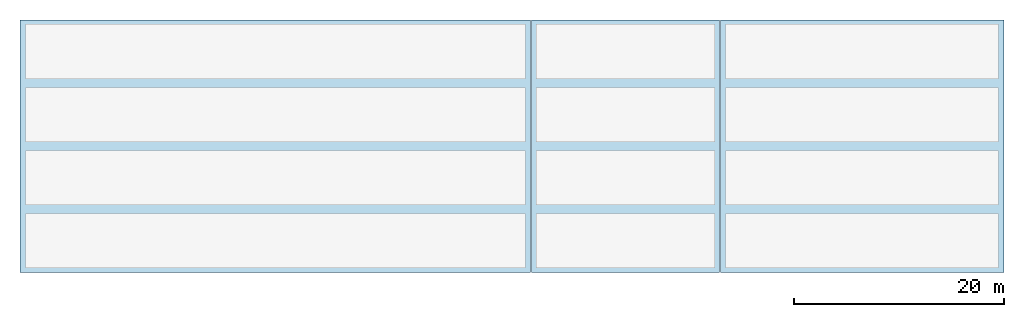
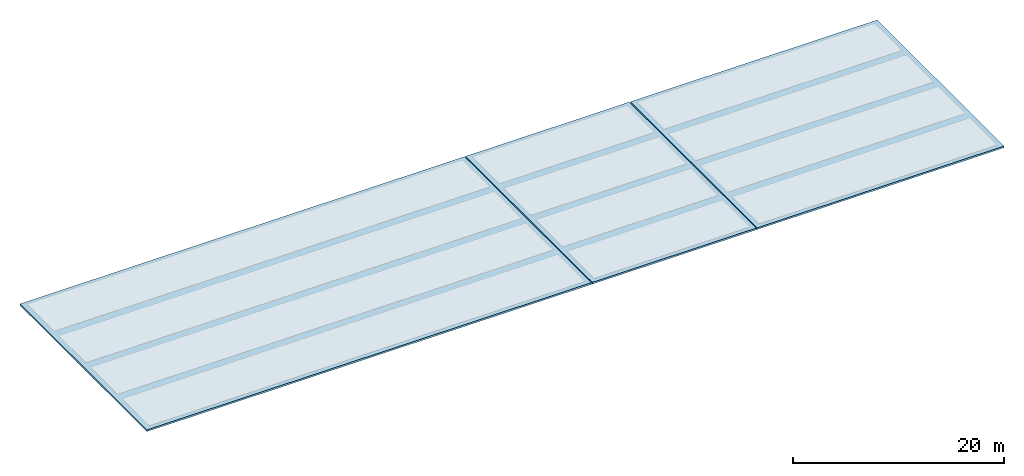
# One storey, part 1 of 2: 3 slabs.
"""IFC4 building model written with IfcOpenShell, lengths in metres."""

import ifcopenshell
import ifcopenshell.guid

model = None  # the IFC model being written
_history = None  # IfcOwnerHistory: only IFC2X3 demands one
_inside = {}  # id of a spatial element -> (the spatial element, [elements in it])
_under = {}  # id of a project, library or spatial element -> (it, [spatial elements below it])
_declared = {}  # id of a project -> (the project, [libraries it declares])
_typed = {}  # id of a type object -> (the type object, [elements of that type])
_made_of = {}  # id of a material, layer set ... -> (it, [elements and type objects made of it])


def new_model(schema):
    """Start an empty IFC model of exactly this schema.

    Asked for "IFC4X3", IfcOpenShell would pick the latest addendum, in which some entities
    have other attributes; the version numbers below select the first issue.
    IFC2X3 requires an IfcOwnerHistory on every rooted entity: one is made here for all.
    """
    global model, _history
    if schema == "IFC4X3":
        model = ifcopenshell.file(schema_version=(4, 3, 0, 0))
    else:
        model = ifcopenshell.file(schema=schema)
    _inside.clear()
    _under.clear()
    _declared.clear()
    _typed.clear()
    _made_of.clear()
    _history = None
    if model.schema == "IFC2X3":
        org = make("IfcOrganization", Name="unknown")
        user = make(
            "IfcPersonAndOrganization",
            ThePerson=make("IfcPerson", FamilyName="unknown"),
            TheOrganization=org,
        )
        app = make(
            "IfcApplication",
            ApplicationDeveloper=org,
            Version="unknown",
            ApplicationFullName="unknown",
            ApplicationIdentifier="unknown",
        )
        _history = make(
            "IfcOwnerHistory",
            OwningUser=user,
            OwningApplication=app,
            ChangeAction="ADDED",
            CreationDate=0,
        )
    return model


def make(cls, **values):
    """One entity of the class cls with the attributes given. An attribute that is None is left unset."""
    return model.create_entity(
        cls, **{name: value for name, value in values.items() if value is not None}
    )


def rooted(cls, **values):
    """An entity with a GlobalId (a new one), such as an element, a storey or a relation."""
    return make(cls, GlobalId=ifcopenshell.guid.new(), OwnerHistory=_history, **values)


def si_unit(unit_type, name, prefix=None):
    """IfcSIUnit, for example si_unit("LENGTHUNIT", "METRE", prefix="MILLI")."""
    return make("IfcSIUnit", UnitType=unit_type, Prefix=prefix, Name=name)


def assignment(units):
    """IfcUnitAssignment: the units of a project."""
    return None if units is None else make("IfcUnitAssignment", Units=units)


def point(xyz):
    """IfcCartesianPoint."""
    return None if xyz is None else make("IfcCartesianPoint", Coordinates=xyz)


def direction(xyz):
    """IfcDirection."""
    return None if xyz is None else make("IfcDirection", DirectionRatios=xyz)


def frame(location, z_axis=None, x_axis=None):
    """IfcAxis2Placement3D, a coordinate frame: its origin and axes. An axis left out is left unset."""
    return make(
        "IfcAxis2Placement3D",
        Location=point(location),
        Axis=direction(z_axis),
        RefDirection=direction(x_axis),
    )


def origin():
    """The frame at (0, 0, 0) with its axes left unset."""
    return frame((0.0, 0.0, 0.0))


def place(relative_to, where):
    """IfcLocalPlacement: puts the frame where relative to a parent placement (None: the world)."""
    return make(
        "IfcLocalPlacement", PlacementRelTo=relative_to, RelativePlacement=where
    )


def context(
    kind, dimensions, precision=None, world=None, true_north=None, identifier=None
):
    """IfcGeometricRepresentationContext, for example the 3D "Model" context."""
    return make(
        "IfcGeometricRepresentationContext",
        ContextIdentifier=identifier,
        ContextType=kind,
        CoordinateSpaceDimension=dimensions,
        Precision=precision,
        WorldCoordinateSystem=world,
        TrueNorth=true_north,
    )


def subcontext(parent, identifier, kind, view, scale=None):
    """IfcGeometricRepresentationSubContext, for example "Body" below "Model"."""
    return make(
        "IfcGeometricRepresentationSubContext",
        ContextIdentifier=identifier,
        ContextType=kind,
        ParentContext=parent,
        TargetScale=scale,
        TargetView=view,
    )


def project(units=None, contexts=None):
    """IfcProject with its units and contexts."""
    return rooted(
        "IfcProject",
        Name="project",
        RepresentationContexts=contexts,
        UnitsInContext=assignment(units),
    )


def spatial(cls, under=None, at=None, **own):
    """A site, building, storey or space (cls), placed at a placement, below another one or the project."""
    s = rooted(cls, ObjectPlacement=at, **own)
    if under is not None:
        _under.setdefault(under.id(), (under, []))[1].append(s)
    return s


def polyline(points):
    """IfcPolyline through the points."""
    return make("IfcPolyline", Points=[point(p) for p in points])


def outline(outer, holes=None, kind="AREA"):
    """IfcArbitraryClosedProfileDef: a profile drawn as a closed curve; with holes, ...WithVoids."""
    if holes is None:
        return make("IfcArbitraryClosedProfileDef", ProfileType=kind, OuterCurve=outer)
    return make(
        "IfcArbitraryProfileDefWithVoids",
        ProfileType=kind,
        OuterCurve=outer,
        InnerCurves=holes,
    )


def extrude(swept, where, along, depth):
    """IfcExtrudedAreaSolid: the profile swept, set in the frame where, extruded along a direction by depth."""
    return make(
        "IfcExtrudedAreaSolid",
        SweptArea=swept,
        Position=where,
        ExtrudedDirection=direction(along),
        Depth=depth,
    )


def shape(context_of_items, identifier, shape_type, items):
    """IfcShapeRepresentation: the items that make up one representation, for example the "Body"."""
    return make(
        "IfcShapeRepresentation",
        ContextOfItems=context_of_items,
        RepresentationIdentifier=identifier,
        RepresentationType=shape_type,
        Items=items,
    )


def material(Name=None, Category=None):
    """IfcMaterial."""
    return make("IfcMaterial", Name=Name, Category=Category)


def layer(
    of_material, thickness, ventilated=None, Name=None, Category=None, Priority=None
):
    """IfcMaterialLayer: one layer of a wall or slab, of a material (None: an air gap)."""
    return make(
        "IfcMaterialLayer",
        Material=of_material,
        LayerThickness=thickness,
        IsVentilated=ventilated,
        Name=Name,
        Category=Category,
        Priority=Priority,
    )


def layer_set(layers, Name=None):
    """IfcMaterialLayerSet."""
    return make("IfcMaterialLayerSet", MaterialLayers=layers, LayerSetName=Name)


def made_of(thing, what):
    """Note that an element or type object is made of a material, layer set ...; save() writes the relation."""
    if what is not None:
        _made_of.setdefault(what.id(), (what, []))[1].append(thing)
    return thing


def type_object(cls, material=None, **own):
    """A type object (cls), such as IfcWallType, which elements share."""
    return made_of(rooted(cls, **own), material)


def element(
    cls,
    number,
    at=None,
    inside=None,
    cuts=None,
    type_object=None,
    material=None,
    context=None,
    identifier="Body",
    shape_type=None,
    held_by="IfcProductDefinitionShape",
    body=None,
    shapes=None,
    **own,
):
    """One element of the class cls, such as IfcWall. Its Tag is "e" and its number.

    at: its placement. inside: the storey or other place that contains it. cuts: it is an
    opening in that element (IfcRelVoidsElement). A single representation is given by context,
    identifier, shape_type and body (its items); several are given by shapes. held_by: the class
    of the entity that holds the representations. save() writes the other relations.
    """
    e = rooted(cls, Tag="e%d" % number, ObjectPlacement=at, **own)
    if body is not None:
        shapes = [shape(context, identifier, shape_type, body)]
    if shapes is not None:
        e.Representation = make(held_by, Representations=shapes)
    if inside is not None:
        _inside.setdefault(inside.id(), (inside, []))[1].append(e)
    if cuts is not None:
        rooted(
            "IfcRelVoidsElement", RelatingBuildingElement=cuts, RelatedOpeningElement=e
        )
    if type_object is not None:
        _typed.setdefault(type_object.id(), (type_object, []))[1].append(e)
    return made_of(e, material)


def aggregate(whole, parts):
    """IfcRelAggregates: a whole, such as a stair, and the parts it consists of."""
    return rooted("IfcRelAggregates", RelatingObject=whole, RelatedObjects=parts)


def save(model, path):
    """Write the relations noted so far, then the file.

    IfcRelAggregates (storeys below a building ...), IfcRelContainedInSpatialStructure (elements
    in a storey), IfcRelDefinesByType, IfcRelAssociatesMaterial and IfcRelDeclares: one each for
    every whole, place, type object, material and project.
    """
    for whole, parts in _under.values():
        aggregate(whole, parts)
    for where, things in _inside.values():
        rooted(
            "IfcRelContainedInSpatialStructure",
            RelatedElements=things,
            RelatingStructure=where,
        )
    for kind, things in _typed.values():
        rooted("IfcRelDefinesByType", RelatedObjects=things, RelatingType=kind)
    for what, things in _made_of.values():
        rooted("IfcRelAssociatesMaterial", RelatedObjects=things, RelatingMaterial=what)
    for by, libraries in _declared.values():
        rooted("IfcRelDeclares", RelatingContext=by, RelatedDefinitions=libraries)
    model.write(path)


model = new_model("IFC4")

# Units and contexts
model_context = context("Model", 3, precision=1e-05, world=origin(), true_north=direction((0.0, 1.0)))
body_context = subcontext(model_context, "Body", "Model", "MODEL_VIEW")
ifc_project = project(units=[si_unit("LENGTHUNIT", "METRE"), si_unit("AREAUNIT", "SQUARE_METRE"), si_unit("VOLUMEUNIT", "CUBIC_METRE"), si_unit("PLANEANGLEUNIT", "RADIAN"), si_unit("MASSUNIT", "GRAM", prefix="KILO")], contexts=[model_context])

# Site, building, storey
site_placement = place(None, origin())
site = spatial("IfcSite", under=ifc_project, at=site_placement, CompositionType="ELEMENT")
building_placement = place(site_placement, origin())
building = spatial("IfcBuilding", under=site, at=building_placement, Name="Montelvaro Courts of Justice", CompositionType="ELEMENT")
storey_placement = place(building_placement, frame((0.0, 0.0, 39.39990234375)))
storey = spatial("IfcBuildingStorey", under=building, at=storey_placement, Name="RF", CompositionType="ELEMENT", Elevation=39.39990234375)

# Slabs
ifc_material = material(Name="Concrete C35/45", Category="concrete")
ifc_layer = layer(ifc_material, 0.199951171875)
ifc_layer_set = layer_set([ifc_layer], Name="Concrete C35/45")
slab_type = type_object("IfcSlabType", Name="HeadHouseRoof_200", PredefinedType="ROOF", material=ifc_layer_set)
slab_1_placement = place(storey_placement, frame((0.0, 0.0, -0.199951171875)))
element("IfcSlab", 1, at=slab_1_placement, inside=storey, type_object=slab_type, Name="Roof Slab SR-06 RF", PredefinedType="ROOF", context=body_context, shape_type="SweptSolid", body=[
    extrude(outline(polyline([(32.39990234375, 0.0), (80.949951171875, 0.0), (80.949951171875, 24.0), (32.39990234375, 24.0), (32.39990234375, 0.0)])), origin(), (0.0, 0.0, 1.0), 0.199951171875),
])
slab_2_placement = place(storey_placement, frame((0.0, 0.0, -0.199951171875)))
element("IfcSlab", 2, at=slab_2_placement, inside=storey, type_object=slab_type, Name="Roof Slab SR-06 RF", PredefinedType="ROOF", context=body_context, shape_type="SweptSolid", body=[
    extrude(outline(polyline([(81.050048828125, 0.0), (98.949951171875, 0.0), (98.949951171875, 24.0), (81.050048828125, 24.0), (81.050048828125, 0.0)])), origin(), (0.0, 0.0, 1.0), 0.199951171875),
])
slab_3_placement = place(storey_placement, frame((0.0, 0.0, -0.199951171875)))
element("IfcSlab", 3, at=slab_3_placement, inside=storey, type_object=slab_type, Name="Roof Slab SR-06 RF", PredefinedType="ROOF", context=body_context, shape_type="SweptSolid", body=[
    extrude(outline(polyline([(99.050048828125, 0.0), (126.0, 0.0), (126.0, 24.0), (99.050048828125, 24.0), (99.050048828125, 0.0)])), origin(), (0.0, 0.0, 1.0), 0.199951171875),
])

save(model, "model.ifc")
